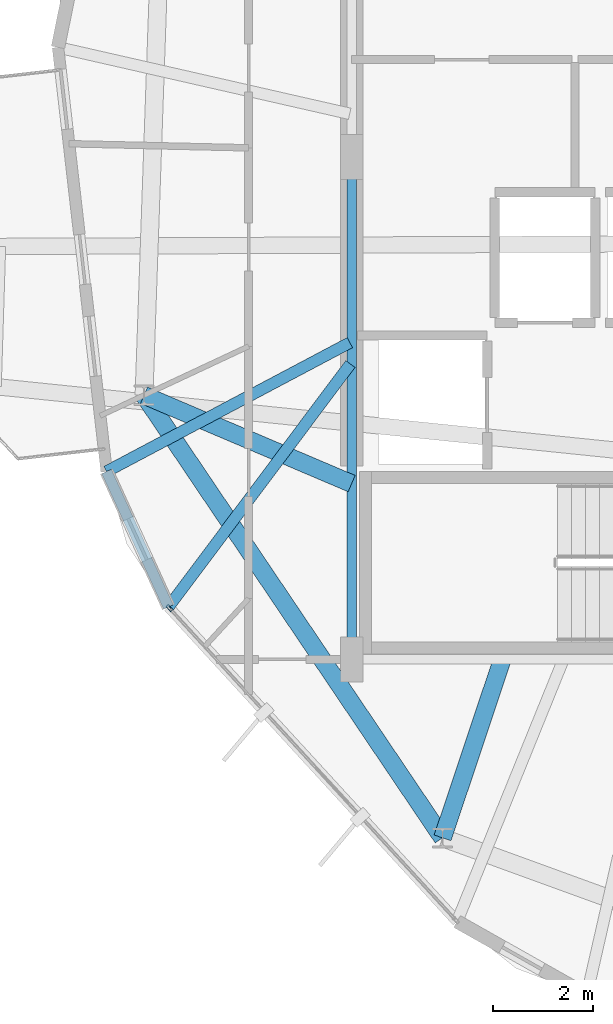
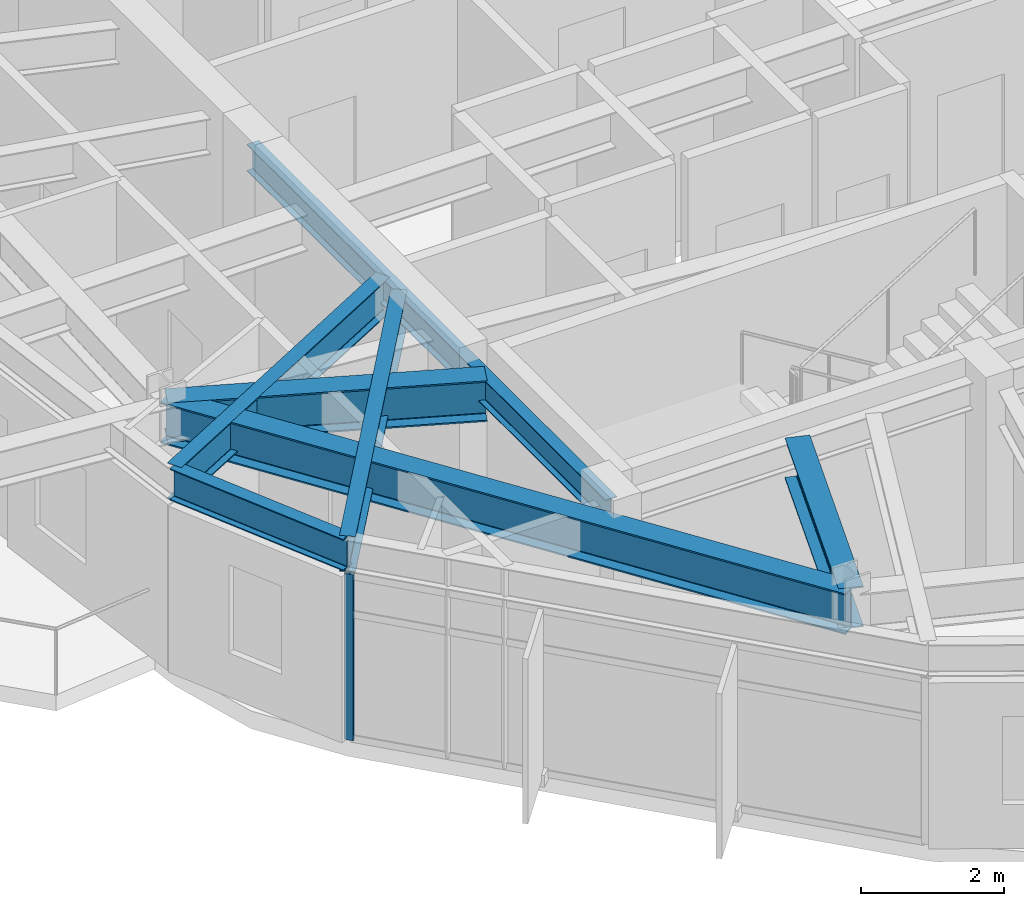
# One storey, part 3 of 23: 7 beams, 1 member, 1 element without a shape of its own.
"""IFC4 building model written with IfcOpenShell, lengths in metres."""

from ifc_helpers import new_model, si_unit, direction, frame, origin, origin_2d, place, context, subcontext, project, spatial, hollow_rectangle, i_section, extrude, material, layer, layer_set, material_profile, profile_set, type_object, element, aggregate, save


model = new_model("IFC4")

# Units and contexts
model_context = context("Model", 3, precision=1e-05, world=origin(), true_north=direction((0.0, 1.0)))
body_context = subcontext(model_context, "Body", "Model", "MODEL_VIEW")
ifc_project = project(units=[si_unit("LENGTHUNIT", "METRE"), si_unit("AREAUNIT", "SQUARE_METRE"), si_unit("VOLUMEUNIT", "CUBIC_METRE"), si_unit("PLANEANGLEUNIT", "RADIAN"), si_unit("MASSUNIT", "GRAM", prefix="KILO")], contexts=[model_context])

# Site, building, storey
site_placement = place(None, origin())
site = spatial("IfcSite", under=ifc_project, at=site_placement, CompositionType="ELEMENT")
building_placement = place(site_placement, origin())
building = spatial("IfcBuilding", under=site, at=building_placement, Name="Soratama Intermodal Tower", CompositionType="ELEMENT")
storey_placement = place(building_placement, frame((0.0, 0.0, 261.25)))
storey = spatial("IfcBuildingStorey", under=building, at=storey_placement, Name="L66", CompositionType="ELEMENT", Elevation=261.25)

# Beams
ifc_material_1 = material(Name="Structural steel ASTM A992 Grade 50", Category="steel")
ifc_material_profile_1 = material_profile(ifc_material_1, i_section(OverallWidth=0.19091796875, OverallDepth=0.4599609375, WebThickness=0.010009765625, FlangeThickness=0.01611328125, FilletRadius=0.010986328125, at=origin_2d()), Name="W18X55")
ifc_profile_set_1 = profile_set([ifc_material_profile_1], Name="Structural steel ASTM A992 Grade 50")
beam_type_1 = type_object("IfcBeamType", Name="BM-FLR-W18X55", PredefinedType="BEAM", material=ifc_profile_set_1)
beam_1_placement = place(storey_placement, frame((32.60009765625, 25.0, 3.219970703125), z_axis=(0.0, -1.0, 0.0), x_axis=(1.0, 0.0, 0.0)))
element("IfcBeam", 1, at=beam_1_placement, inside=storey, type_object=beam_type_1, Name="BM-L66-CRING-09", PredefinedType="BEAM", context=body_context, shape_type="SweptSolid", body=[
    extrude(i_section(OverallWidth=0.19091796875, OverallDepth=0.4599609375, WebThickness=0.010009765625, FlangeThickness=0.01611328125, FilletRadius=0.010986328125, at=origin_2d()), origin(), (0.0, 0.0, 1.0), 10.0),
])
ifc_material_2 = material(Name="Structural steel ASTM A992 Grade 50", Category="steel")
ifc_material_profile_2 = material_profile(ifc_material_2, i_section(OverallWidth=0.35498046875, OverallDepth=0.695068359375, WebThickness=0.015380859375, FlangeThickness=0.02490234375, FilletRadius=0.01611328125, at=origin_2d()), Name="W27X146")
ifc_profile_set_2 = profile_set([ifc_material_profile_2], Name="Structural steel ASTM A992 Grade 50")
beam_type_2 = type_object("IfcBeamType", Name="BM-RING-W27X146", PredefinedType="BEAM", material=ifc_profile_set_2)
beam_2_placement = place(storey_placement, frame((28.466064453125, 20.259033203125, 3.1025390625), z_axis=(0.559218025165, -0.829020627204, 0.0), x_axis=(0.829020627204, 0.559218025165, 0.0)))
element("IfcBeam", 2, at=beam_2_placement, inside=storey, type_object=beam_type_2, Name="BM-L66-RING-06", PredefinedType="BEAM", context=body_context, shape_type="SweptSolid", body=[
    extrude(i_section(OverallWidth=0.35498046875, OverallDepth=0.695068359375, WebThickness=0.015380859375, FlangeThickness=0.02490234375, FilletRadius=0.01611328125, at=origin_2d()), origin(), (0.0, 0.0, 1.0), 10.630615234375),
])
beam_3_placement = place(storey_placement, frame((32.60009765625, 18.5, 3.1025390625), z_axis=(-0.920165049547, 0.391530690485, 0.0), x_axis=(-0.391530690485, -0.920165049547, 0.0)))
element("IfcBeam", 3, at=beam_3_placement, inside=storey, type_object=beam_type_2, Name="BM-L66-RAD-06", PredefinedType="BEAM", context=body_context, shape_type="SweptSolid", body=[
    extrude(i_section(OverallWidth=0.35498046875, OverallDepth=0.695068359375, WebThickness=0.015380859375, FlangeThickness=0.02490234375, FilletRadius=0.01611328125, at=origin_2d()), origin(), (0.0, 0.0, 1.0), 4.49267578125),
])
beam_4_placement = place(storey_placement, frame((35.60009765625, 15.0, 3.1025390625), z_axis=(-0.317321993996, -0.948317853953, 0.0), x_axis=(0.948317853953, -0.317321993996, 0.0)))
element("IfcBeam", 4, at=beam_4_placement, inside=storey, type_object=beam_type_2, Name="BM-L66-RAD-07", PredefinedType="BEAM", context=body_context, shape_type="SweptSolid", body=[
    extrude(i_section(OverallWidth=0.35498046875, OverallDepth=0.695068359375, WebThickness=0.015380859375, FlangeThickness=0.02490234375, FilletRadius=0.01611328125, at=origin_2d()), origin(), (0.0, 0.0, 1.0), 3.74755859375),
])
ifc_material_3 = material(Name="Structural steel ASTM A992 Grade 50", Category="steel")
ifc_material_profile_3 = material_profile(ifc_material_3, i_section(OverallWidth=0.2099609375, OverallDepth=0.537109375, WebThickness=0.010986328125, FlangeThickness=0.017333984375, FilletRadius=0.012939453125, at=origin_2d()), Name="W21X68")
ifc_profile_set_3 = profile_set([ifc_material_profile_3], Name="Structural steel ASTM A992 Grade 50")
beam_type_3 = type_object("IfcBeamType", Name="BM-SPN-W21X68", PredefinedType="SPANDREL", material=ifc_profile_set_3)
beam_5_placement = place(storey_placement, frame((27.720947265625, 18.740966796875, 3.181396484375), z_axis=(0.415358985559, -0.909657580145, 0.0), x_axis=(0.909657580145, 0.415358985559, 0.0)))
element("IfcBeam", 5, at=beam_5_placement, inside=storey, type_object=beam_type_3, Name="BS-L66-CRN04", PredefinedType="SPANDREL", context=body_context, shape_type="SweptSolid", body=[
    extrude(i_section(OverallWidth=0.2099609375, OverallDepth=0.537109375, WebThickness=0.010986328125, FlangeThickness=0.017333984375, FilletRadius=0.012939453125, at=origin_2d()), origin(), (0.0, 0.0, 1.0), 2.966064453125),
])
ifc_material_4 = material(Name="Structural steel ASTM A992 Grade 50", Category="steel")
ifc_material_profile_4 = material_profile(ifc_material_4, i_section(OverallWidth=0.22900390625, OverallDepth=0.612060546875, WebThickness=0.011962890625, FlangeThickness=0.01953125, FilletRadius=0.012939453125, at=origin_2d()), Name="W24X84")
ifc_profile_set_4 = profile_set([ifc_material_profile_4], Name="Structural steel ASTM A992 Grade 50")
beam_type_4 = type_object("IfcBeamType", Name="BM-TIE-W24X84", PredefinedType="BEAM", material=ifc_profile_set_4)
beam_6_placement = place(storey_placement, frame((32.56494140625, 21.306884765625, 3.14404296875), z_axis=(-0.883678473146, -0.468094388023, 0.0), x_axis=(0.468094388023, -0.883678473146, 0.0)))
element("IfcBeam", 6, at=beam_6_placement, inside=storey, type_object=beam_type_4, Name="BM-L66-TIE1-04", PredefinedType="BEAM", context=body_context, shape_type="SweptSolid", body=[
    extrude(i_section(OverallWidth=0.22900390625, OverallDepth=0.612060546875, WebThickness=0.011962890625, FlangeThickness=0.01953125, FilletRadius=0.012939453125, at=origin_2d()), origin(), (0.0, 0.0, 1.0), 5.481689453125),
])
beam_7_placement = place(storey_placement, frame((32.575927734375, 20.881103515625, 3.14404296875), z_axis=(-0.599411735796, -0.800440860395, 0.0), x_axis=(0.800440860395, -0.599411735796, 0.0)))
element("IfcBeam", 7, at=beam_7_placement, inside=storey, type_object=beam_type_4, Name="BM-L66-TIE0-05", PredefinedType="BEAM", context=body_context, shape_type="SweptSolid", body=[
    extrude(i_section(OverallWidth=0.22900390625, OverallDepth=0.612060546875, WebThickness=0.011962890625, FlangeThickness=0.01953125, FilletRadius=0.012939453125, at=origin_2d()), origin(), (0.0, 0.0, 1.0), 6.04443359375),
])

# Curtain wall, member
ifc_material_5 = material(Name="Double-glazed aluminium curtain wall", Category="aluminium")
ifc_layer = layer(ifc_material_5, 0.159912109375)
ifc_layer_set = layer_set([ifc_layer], Name="Double-glazed aluminium curtain wall")
curtain_wall_type = type_object("IfcCurtainWallType", Name="CW-SYS-5", PredefinedType="NOTDEFINED", material=ifc_layer_set)
curtain_wall_placement = place(storey_placement, origin())
curtain_wall = element("IfcCurtainWall", 8, at=curtain_wall_placement, inside=storey, type_object=curtain_wall_type, Name="L66 Faceted Curtain Wall F05", PredefinedType="NOTDEFINED")
ifc_material_6 = material(Name="Anodised aluminium AA 6063-T6", Category="aluminium")
ifc_material_profile_5 = material_profile(ifc_material_6, hollow_rectangle(XDim=0.06494140625, YDim=0.139892578125, WallThickness=0.0048828125, InnerFilletRadius=0.0048828125, OuterFilletRadius=0.010009765625, at=origin_2d()), Name="CWM140X65X5")
ifc_profile_set_5 = profile_set([ifc_material_profile_5], Name="Anodised aluminium AA 6063-T6")
member_type = type_object("IfcMemberType", Name="MT-CWM-5", PredefinedType="MULLION", material=ifc_profile_set_5)
member_placement = place(storey_placement, frame((28.972900390625, 16.0205078125, 0.0), z_axis=(0.0, 0.0, 1.0), x_axis=(0.736802912702, 0.676107585991, 0.0)))
member = element("IfcMember", 9, at=member_placement, type_object=member_type, Name="CW-5 mullion 1", PredefinedType="MULLION", context=body_context, shape_type="SweptSolid", body=[
    extrude(hollow_rectangle(XDim=0.06494140625, YDim=0.139892578125, WallThickness=0.0048828125, InnerFilletRadius=0.0048828125, OuterFilletRadius=0.010009765625, at=origin_2d()), origin(), (0.0, 0.0, 1.0), 2.8291015625),
])
aggregate(curtain_wall, [member])

save(model, "model.ifc")
